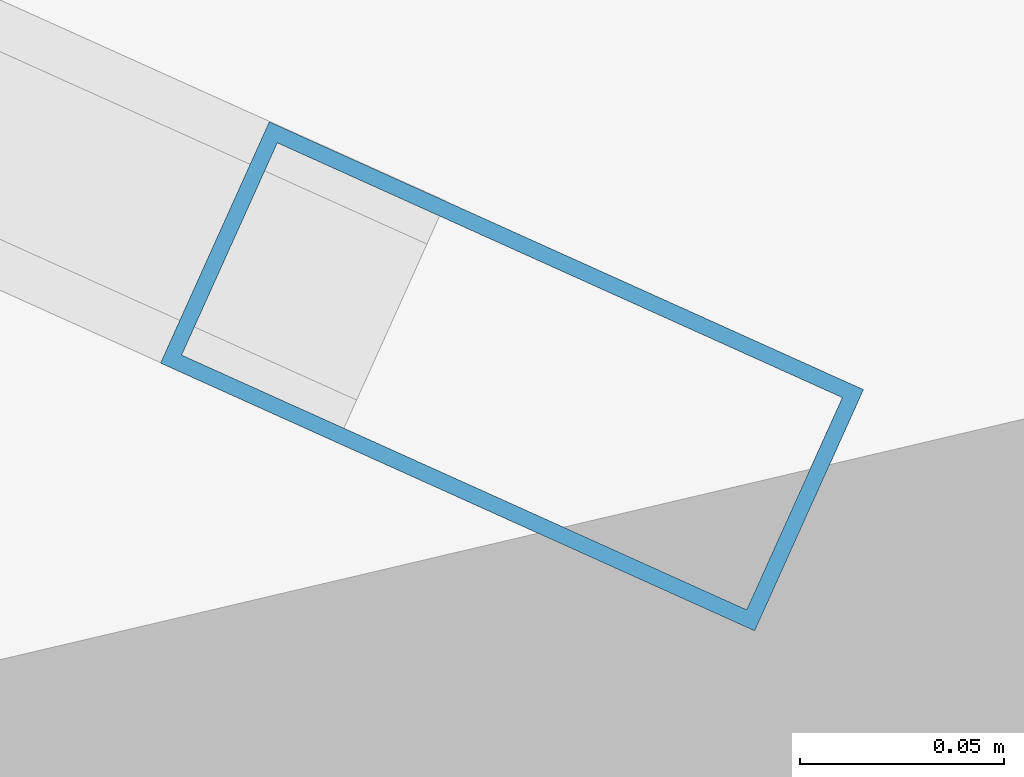
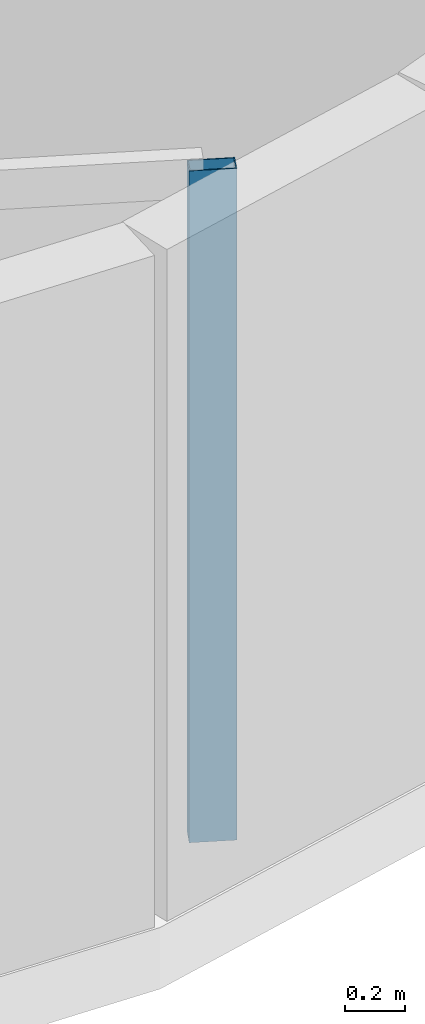
# One storey, part 5 of 24: 1 member, 1 element without a shape of its own.
"""IFC4 building model written with IfcOpenShell, lengths in metres."""

from ifc_helpers import new_model, si_unit, direction, frame, origin, origin_2d, place, context, subcontext, project, spatial, hollow_rectangle, extrude, material, layer, layer_set, material_profile, profile_set, type_object, element, aggregate, save


model = new_model("IFC4")

# Units and contexts
model_context = context("Model", 3, precision=1e-05, world=origin(), true_north=direction((0.0, 1.0)))
body_context = subcontext(model_context, "Body", "Model", "MODEL_VIEW")
ifc_project = project(units=[si_unit("LENGTHUNIT", "METRE"), si_unit("AREAUNIT", "SQUARE_METRE"), si_unit("VOLUMEUNIT", "CUBIC_METRE"), si_unit("PLANEANGLEUNIT", "RADIAN"), si_unit("MASSUNIT", "GRAM", prefix="KILO")], contexts=[model_context])

# Site, building, storey
site_placement = place(None, origin())
site = spatial("IfcSite", under=ifc_project, at=site_placement, CompositionType="ELEMENT")
building_placement = place(site_placement, origin())
building = spatial("IfcBuilding", under=site, at=building_placement, Name="Varnelok Gate Tower", CompositionType="ELEMENT")
storey_placement = place(building_placement, frame((0.0, 0.0, 212.699951171875)))
storey = spatial("IfcBuildingStorey", under=building, at=storey_placement, Name="L54", CompositionType="ELEMENT", Elevation=212.699951171875)

# Curtain wall, member
ifc_material = material(Name="Anodized Aluminum Alloy 6063-T6", Category="aluminium")
ifc_layer = layer(ifc_material, 0.179931640625)
ifc_layer_set = layer_set([ifc_layer], Name="Anodized Aluminum Alloy 6063-T6")
curtain_wall_type = type_object("IfcCurtainWallType", Name="CW5-WINDCORNER-GLAZ", PredefinedType="USERDEFINED", material=ifc_layer_set)
curtain_wall_placement = place(storey_placement, origin())
curtain_wall = element("IfcCurtainWall", 1, at=curtain_wall_placement, inside=storey, type_object=curtain_wall_type, Name="L54 Wind-Shaped Corner Curtain Wall SW", ObjectType="STRUCTURAL GLAZING", PredefinedType="USERDEFINED")
ifc_material_profile = material_profile(ifc_material, hollow_rectangle(XDim=0.06494140625, YDim=0.159912109375, WallThickness=0.00390625, at=origin_2d()), Name="ALU160X65X4")
ifc_profile_set = profile_set([ifc_material_profile], Name="Anodized Aluminum Alloy 6063-T6")
member_type = type_object("IfcMemberType", Name="CW-MULL-160", PredefinedType="MULLION", material=ifc_profile_set)
member_placement = place(storey_placement, frame((19.35888671875, -3.839599609375, 0.0), z_axis=(0.0, 0.0, 1.0), x_axis=(0.410939058285, 0.911662816164, 0.0)))
member = element("IfcMember", 2, at=member_placement, type_object=member_type, Name="CW5 mullion 2", PredefinedType="MULLION", context=body_context, shape_type="SweptSolid", body=[
    extrude(hollow_rectangle(XDim=0.06494140625, YDim=0.159912109375, WallThickness=0.00390625, at=origin_2d()), origin(), (0.0, 0.0, 1.0), 2.72998046875),
])
aggregate(curtain_wall, [member])

save(model, "model.ifc")
